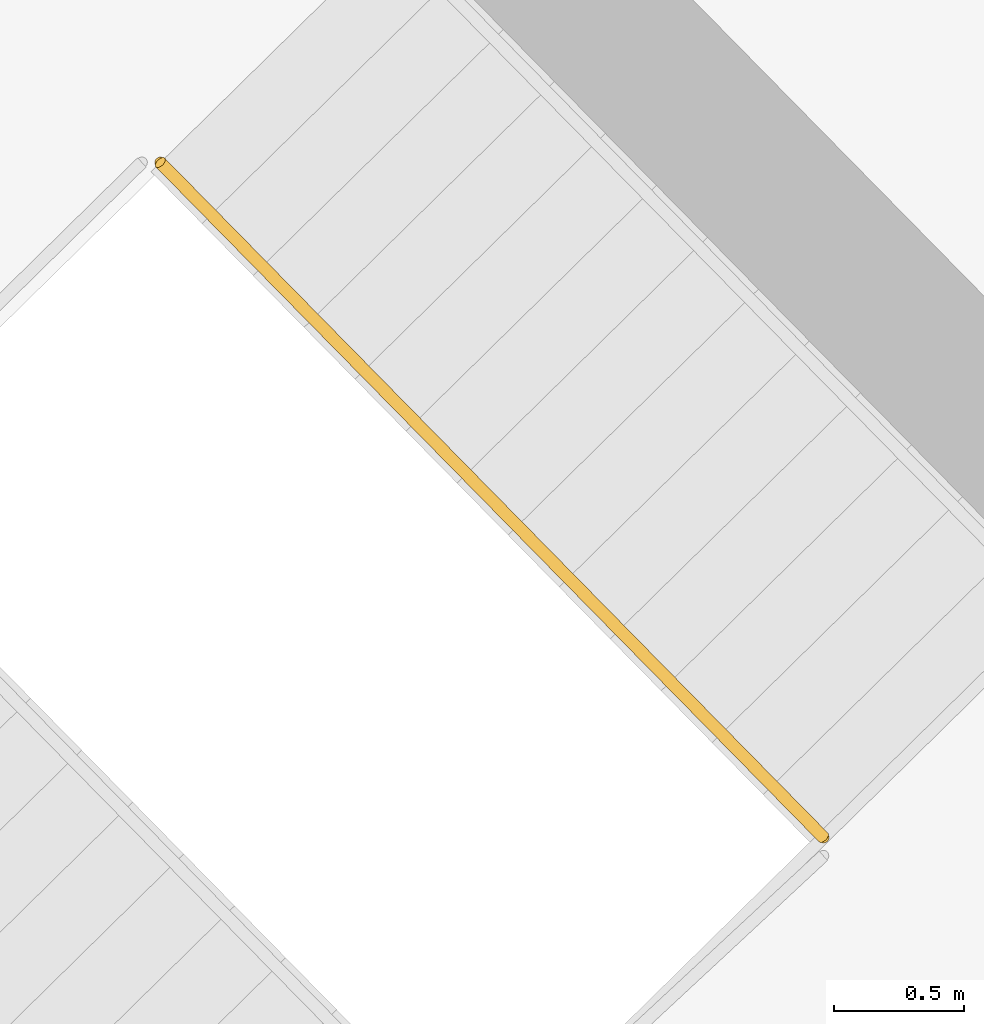
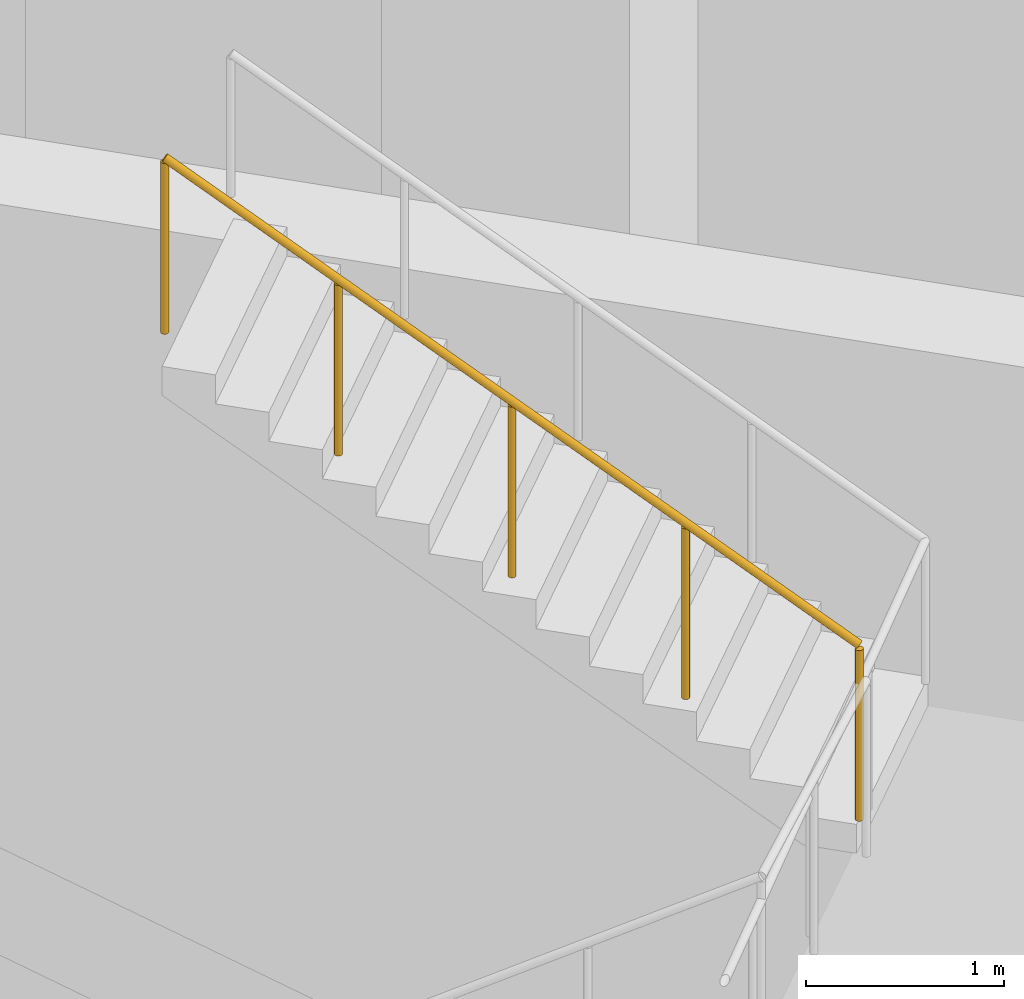
# One storey, part 10 of 10: 1 railing.
"""IFC4 building model written with IfcOpenShell, lengths in metres."""

from ifc_helpers import new_model, si_unit, direction, frame, origin, origin_2d, place, context, subcontext, project, spatial, circle, extrude, material, type_object, element, save


model = new_model("IFC4")

# Units and contexts
model_context = context("Model", 3, precision=1e-05, world=origin(), true_north=direction((0.0, 1.0)))
body_context = subcontext(model_context, "Body", "Model", "MODEL_VIEW")
ifc_project = project(units=[si_unit("LENGTHUNIT", "METRE"), si_unit("AREAUNIT", "SQUARE_METRE"), si_unit("VOLUMEUNIT", "CUBIC_METRE"), si_unit("PLANEANGLEUNIT", "RADIAN"), si_unit("MASSUNIT", "GRAM", prefix="KILO")], contexts=[model_context])

# Site, building, storey
site_placement = place(None, origin())
site = spatial("IfcSite", under=ifc_project, at=site_placement, CompositionType="ELEMENT")
building_placement = place(site_placement, origin())
building = spatial("IfcBuilding", under=site, at=building_placement, Name="Binnacle Exchange Tower", CompositionType="ELEMENT")
storey_placement = place(building_placement, frame((0.0, 0.0, 51.5)))
storey = spatial("IfcBuildingStorey", under=building, at=storey_placement, Name="L10", CompositionType="ELEMENT", Elevation=51.5)

# Railing
ifc_material = material(Name="Steel guard rail", Category="steel")
railing_type = type_object("IfcRailingType", Name="STAIR GUARD 1100", PredefinedType="GUARDRAIL", material=ifc_material)
railing_placement = place(storey_placement, frame((44.693359375, 45.747314453125, 2.678466796875)))
element("IfcRailing", 1, at=railing_placement, inside=storey, type_object=railing_type, Name="L10 STB1 stair guard 2", PredefinedType="GUARDRAIL", context=body_context, shape_type="SweptSolid", body=[
    extrude(circle(Radius=0.02392578125, at=origin_2d()), frame((0.0, 0.0, 1.076171875), z_axis=(-0.590946962671, 0.60135215321, 0.537733461056), x_axis=(-0.713250539553, -0.700909172309, 0.0)), (0.0, 0.0, 1.0), 4.317138671875),
    extrude(circle(Radius=0.02099609375, at=origin_2d()), origin(), (0.0, 0.0, 1.0), 1.052001953125),
    extrude(circle(Radius=0.02099609375, at=origin_2d()), frame((-0.6376953125, 0.64892578125, 0.580322265625)), (0.0, 0.0, 1.0), 1.052001953125),
    extrude(circle(Radius=0.02099609375, at=origin_2d()), frame((-1.275634765625, 1.298095703125, 1.16064453125)), (0.0, 0.0, 1.0), 1.052001953125),
    extrude(circle(Radius=0.02099609375, at=origin_2d()), frame((-1.91357421875, 1.947265625, 1.7412109375)), (0.0, 0.0, 1.0), 1.052001953125),
    extrude(circle(Radius=0.02099609375, at=origin_2d()), frame((-2.55126953125, 2.59619140625, 2.321533203125)), (0.0, 0.0, 1.0), 1.052001953125),
])

save(model, "model.ifc")
